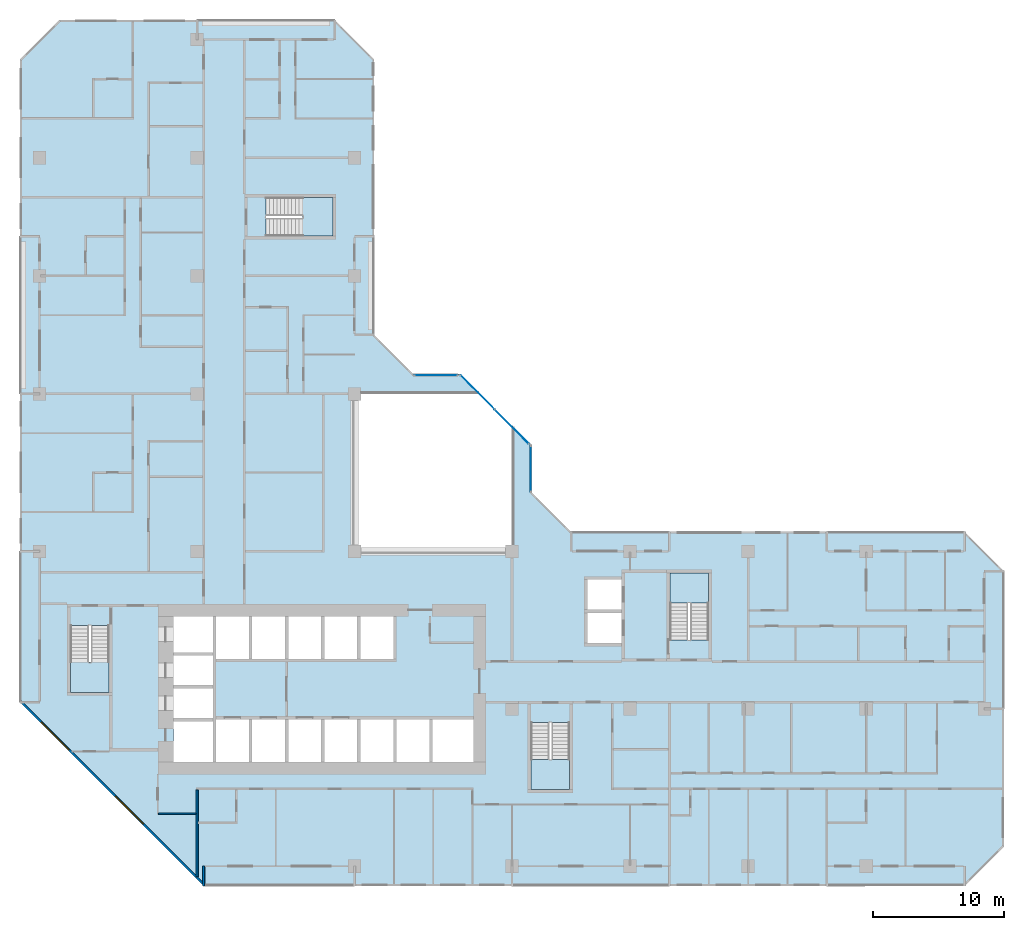
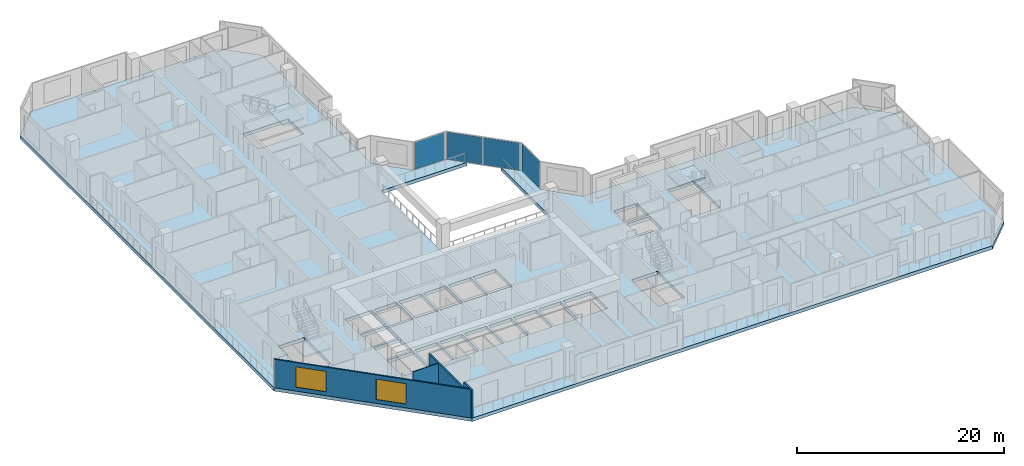
# One storey, part 3 of 15: 5 slabs, 4 plates, 4 walls, 2 windows, 2 openings, 7 elements without a shape of their own.
"""IFC4 building model written with IfcOpenShell, lengths in metres."""

from ifc_helpers import new_model, si_unit, direction, frame, frame_2d, origin, origin_2d, place, context, subcontext, project, spatial, polyline, rectangle, outline, extrude, material, layer, layer_set, type_object, element, fill, aggregate, save


model = new_model("IFC4")

# Units and contexts
model_context = context("Model", 3, precision=1e-05, world=origin(), true_north=direction((0.0, 1.0)))
body_context = subcontext(model_context, "Body", "Model", "MODEL_VIEW")
ifc_project = project(units=[si_unit("LENGTHUNIT", "METRE"), si_unit("AREAUNIT", "SQUARE_METRE"), si_unit("VOLUMEUNIT", "CUBIC_METRE"), si_unit("PLANEANGLEUNIT", "RADIAN"), si_unit("MASSUNIT", "GRAM", prefix="KILO")], contexts=[model_context])

# Site, building, storey
site_placement = place(None, origin())
site = spatial("IfcSite", under=ifc_project, at=site_placement, CompositionType="ELEMENT")
building_placement = place(site_placement, origin())
building = spatial("IfcBuilding", under=site, at=building_placement, Name="Chenar Terraces", CompositionType="ELEMENT")
storey_placement = place(building_placement, frame((0.0, 0.0, 133.14990234375)))
storey = spatial("IfcBuildingStorey", under=building, at=storey_placement, Name="L31", CompositionType="ELEMENT", Elevation=133.14990234375)

# Curtain wall, plate
ifc_material_1 = material(Name="Aluminium framed glazing", Category="aluminium")
ifc_layer_1 = layer(ifc_material_1, 0.14990234375)
ifc_layer_set_1 = layer_set([ifc_layer_1], Name="Aluminium framed glazing")
curtain_wall_type = type_object("IfcCurtainWallType", Name="Atrium curtain wall", PredefinedType="NOTDEFINED", material=ifc_layer_set_1)
placement_1 = place(storey_placement, origin())
curtain_wall_1 = element("IfcCurtainWall", 1, at=placement_1, inside=storey, type_object=curtain_wall_type, Name="Atrium curtain wall", PredefinedType="NOTDEFINED")
ifc_material_2 = material(Name="Low emissivity laminated glass, solar control coating", Category="glass")
ifc_layer_2 = layer(ifc_material_2, 0.028076171875)
ifc_layer_set_2 = layer_set([ifc_layer_2], Name="Low emissivity laminated glass, solar control coating")
plate_type = type_object("IfcPlateType", Name="Atrium glazing panel 28", PredefinedType="CURTAIN_PANEL", material=ifc_layer_set_2)
plate_1_placement = place(storey_placement, frame((37.425048828125, 30.300048828125, 0.06005859375), z_axis=(0.0, 0.0, 1.0), x_axis=(0.0, 1.0, 0.0)))
plate_1 = element("IfcPlate", 2, at=plate_1_placement, type_object=plate_type, Name="CW1-1 panel 1.1", PredefinedType="CURTAIN_PANEL", context=body_context, shape_type="SweptSolid", body=[
    extrude(rectangle(XDim=3.47998046875, YDim=0.028076171875, at=origin_2d()), origin(), (0.0, 0.0, 1.0), 3.22998046875),
])
aggregate(curtain_wall_1, [plate_1])

# Curtain wall, plates
curtain_wall_2 = element("IfcCurtainWall", 3, at=placement_1, inside=storey, type_object=curtain_wall_type, Name="Atrium curtain wall", PredefinedType="NOTDEFINED")
plate_2_placement = place(storey_placement, frame((35.980224609375, 33.513671875, 0.06005859375), z_axis=(0.0, 0.0, 1.0), x_axis=(-0.707106781187, 0.707106781187, 0.0)))
plate_2 = element("IfcPlate", 4, at=plate_2_placement, type_object=plate_type, Name="CW1-2 panel 1.1", PredefinedType="CURTAIN_PANEL", context=body_context, shape_type="SweptSolid", body=[
    extrude(rectangle(XDim=3.62841796875, YDim=0.028076171875, at=origin_2d()), origin(), (0.0, 0.0, 1.0), 3.22998046875),
])
plate_3_placement = place(storey_placement, frame((33.3720703125, 36.121826171875, 0.06005859375), z_axis=(0.0, 0.0, 1.0), x_axis=(-0.707106781187, 0.707106781187, 0.0)))
plate_3 = element("IfcPlate", 5, at=plate_3_placement, type_object=plate_type, Name="CW1-2 panel 2.1", PredefinedType="CURTAIN_PANEL", context=body_context, shape_type="SweptSolid", body=[
    extrude(rectangle(XDim=3.62841796875, YDim=0.028076171875, at=origin_2d()), origin(), (0.0, 0.0, 1.0), 3.22998046875),
])
aggregate(curtain_wall_2, [plate_2, plate_3])

# Curtain wall, plate
curtain_wall_3 = element("IfcCurtainWall", 6, at=placement_1, inside=storey, type_object=curtain_wall_type, Name="Atrium curtain wall", PredefinedType="NOTDEFINED")
plate_4_placement = place(storey_placement, frame((30.199951171875, 37.425048828125, 0.06005859375), z_axis=(0.0, 0.0, 1.0), x_axis=(-1.0, 0.0, 0.0)))
plate_4 = element("IfcPlate", 7, at=plate_4_placement, type_object=plate_type, Name="CW1-3 panel 1.1", PredefinedType="CURTAIN_PANEL", context=body_context, shape_type="SweptSolid", body=[
    extrude(rectangle(XDim=3.280029296875, YDim=0.028076171875, at=origin_2d()), origin(), (0.0, 0.0, 1.0), 3.22998046875),
])
aggregate(curtain_wall_3, [plate_4])

# Stair, slab
ifc_material_3 = material(Name="Reinforced concrete C40/50", Category="concrete")
stair_type = type_object("IfcStairType", Name="Core stair 1400 half-turn", PredefinedType="HALF_TURN_STAIR", material=ifc_material_3)
stair_1 = element("IfcStair", 8, at=placement_1, inside=storey, type_object=stair_type, Name="L31 Stair 1", PredefinedType="HALF_TURN_STAIR")
ifc_material_4 = material(Name="Reinforced concrete C40/50", Category="concrete")
ifc_layer_3 = layer(ifc_material_4, 0.199951171875)
ifc_layer_set_3 = layer_set([ifc_layer_3], Name="Reinforced concrete C40/50")
slab_type_1 = type_object("IfcSlabType", Name="Core stair landing 200", PredefinedType="LANDING", material=ifc_layer_set_3)
placement_2 = place(storey_placement, frame((0.0, 0.0, 1.675048828125)))
slab_1 = element("IfcSlab", 9, at=placement_2, type_object=slab_type_1, Name="ST1 landing 1", PredefinedType="LANDING", context=body_context, shape_type="SweptSolid", body=[
    extrude(outline(polyline([(2.35009765625, 15.550048828125), (2.35009765625, 13.25), (5.300048828125, 13.25), (5.300048828125, 15.550048828125), (2.35009765625, 15.550048828125)])), origin(), (0.0, 0.0, 1.0), 0.199951171875),
])
aggregate(stair_1, [slab_1])

stair_2 = element("IfcStair", 10, at=placement_1, inside=storey, type_object=stair_type, Name="L31 Stair 2", PredefinedType="HALF_TURN_STAIR")
slab_2 = element("IfcSlab", 11, at=placement_2, type_object=slab_type_1, Name="ST2 landing 1", PredefinedType="LANDING", context=body_context, shape_type="SweptSolid", body=[
    extrude(outline(polyline([(37.449951171875, 8.14990234375), (37.449951171875, 5.85009765625), (40.39990234375, 5.85009765625), (40.39990234375, 8.14990234375), (37.449951171875, 8.14990234375)])), origin(), (0.0, 0.0, 1.0), 0.199951171875),
])
aggregate(stair_2, [slab_2])

stair_3 = element("IfcStair", 12, at=placement_1, inside=storey, type_object=stair_type, Name="L31 Stair 3", PredefinedType="HALF_TURN_STAIR")
slab_3 = element("IfcSlab", 13, at=placement_2, type_object=slab_type_1, Name="ST3 landing 1", PredefinedType="LANDING", context=body_context, shape_type="SweptSolid", body=[
    extrude(outline(polyline([(50.97509765625, 20.050048828125), (50.97509765625, 22.35009765625), (48.02490234375, 22.35009765625), (48.02490234375, 20.050048828125), (50.97509765625, 20.050048828125)])), origin(), (0.0, 0.0, 1.0), 0.199951171875),
])
aggregate(stair_3, [slab_3])

stair_4 = element("IfcStair", 14, at=placement_1, inside=storey, type_object=stair_type, Name="L31 Stair 4", PredefinedType="HALF_TURN_STAIR")
slab_4 = element("IfcSlab", 15, at=placement_2, type_object=slab_type_1, Name="ST4 landing 1", PredefinedType="LANDING", context=body_context, shape_type="SweptSolid", body=[
    extrude(outline(polyline([(20.050048828125, 48.02490234375), (22.35009765625, 48.02490234375), (22.35009765625, 50.97509765625), (20.050048828125, 50.97509765625), (20.050048828125, 48.02490234375)])), origin(), (0.0, 0.0, 1.0), 0.199951171875),
])
aggregate(stair_4, [slab_4])

# Slab
ifc_material_5 = material(Name="Concrete C40/50", Category="concrete")
ifc_layer_4 = layer(ifc_material_5, 0.39990234375)
ifc_layer_set_4 = layer_set([ifc_layer_4], Name="Concrete C40/50")
slab_type_2 = type_object("IfcSlabType", Name="Floor slab 400 Concrete C40/50", PredefinedType="FLOOR", material=ifc_layer_set_4)
slab_5_placement = place(storey_placement, frame((0.0, 0.0, -0.39990234375)))
element("IfcSlab", 16, at=slab_5_placement, inside=storey, type_object=slab_type_2, Name="Floor slab L31", PredefinedType="FLOOR", context=body_context, shape_type="SweptSolid", body=[
    extrude(outline(polyline([(73.5, 22.5), (73.5, 1.5), (70.5, -1.5), (12.5, -1.5), (-1.5, 12.5), (-1.5, 61.5), (1.5, 64.5), (22.5, 64.5), (25.5, 61.5), (25.5, 40.5), (28.5, 37.5), (32.10009765625, 37.5), (33.60009765625, 36.0), (24.0, 36.0), (24.0, 24.0), (36.0, 24.0), (36.0, 33.60009765625), (37.5, 32.10009765625), (37.5, 28.5), (40.5, 25.5), (70.5, 25.5), (73.5, 22.5)]), holes=[polyline([(13.199951171875, 11.050048828125), (10.199951171875, 11.050048828125), (10.199951171875, 7.949951171875), (13.199951171875, 7.949951171875), (13.199951171875, 11.050048828125)]), polyline([(15.949951171875, 11.199951171875), (13.449951171875, 11.199951171875), (13.449951171875, 7.949951171875), (15.949951171875, 7.949951171875), (15.949951171875, 11.199951171875)]), polyline([(18.699951171875, 11.199951171875), (16.199951171875, 11.199951171875), (16.199951171875, 7.949951171875), (18.699951171875, 7.949951171875), (18.699951171875, 11.199951171875)]), polyline([(21.449951171875, 7.949951171875), (21.449951171875, 11.199951171875), (18.949951171875, 11.199951171875), (18.949951171875, 7.949951171875), (21.449951171875, 7.949951171875)]), polyline([(13.199951171875, 11.300048828125), (13.199951171875, 13.550048828125), (10.199951171875, 13.550048828125), (10.199951171875, 11.300048828125), (13.199951171875, 11.300048828125)]), polyline([(13.199951171875, 16.050048828125), (10.199951171875, 16.050048828125), (10.199951171875, 13.800048828125), (13.199951171875, 13.800048828125), (13.199951171875, 16.050048828125)]), polyline([(2.35009765625, 18.35009765625), (2.35009765625, 13.25), (5.300048828125, 13.25), (5.300048828125, 18.35009765625), (2.35009765625, 18.35009765625)]), polyline([(15.949951171875, 15.800048828125), (15.949951171875, 19.050048828125), (13.449951171875, 19.050048828125), (13.449951171875, 15.800048828125), (15.949951171875, 15.800048828125)]), polyline([(18.699951171875, 19.050048828125), (16.199951171875, 19.050048828125), (16.199951171875, 15.800048828125), (18.699951171875, 15.800048828125), (18.699951171875, 19.050048828125)]), polyline([(21.449951171875, 15.800048828125), (21.449951171875, 19.050048828125), (18.949951171875, 19.050048828125), (18.949951171875, 15.800048828125), (21.449951171875, 15.800048828125)]), polyline([(13.199951171875, 16.300048828125), (13.199951171875, 19.050048828125), (10.199951171875, 19.050048828125), (10.199951171875, 16.300048828125), (13.199951171875, 16.300048828125)]), polyline([(22.35009765625, 48.02490234375), (22.35009765625, 50.97509765625), (17.25, 50.97509765625), (17.25, 48.02490234375), (22.35009765625, 48.02490234375)]), polyline([(37.449951171875, 10.949951171875), (37.449951171875, 5.85009765625), (40.39990234375, 5.85009765625), (40.39990234375, 10.949951171875), (37.449951171875, 10.949951171875)]), polyline([(24.199951171875, 7.949951171875), (24.199951171875, 11.199951171875), (21.699951171875, 11.199951171875), (21.699951171875, 7.949951171875), (24.199951171875, 7.949951171875)]), polyline([(26.949951171875, 11.199951171875), (24.449951171875, 11.199951171875), (24.449951171875, 7.949951171875), (26.949951171875, 7.949951171875), (26.949951171875, 11.199951171875)]), polyline([(29.699951171875, 7.949951171875), (29.699951171875, 11.199951171875), (27.199951171875, 11.199951171875), (27.199951171875, 7.949951171875), (29.699951171875, 7.949951171875)]), polyline([(33.050048828125, 7.949951171875), (33.050048828125, 11.199951171875), (29.949951171875, 11.199951171875), (29.949951171875, 7.949951171875), (33.050048828125, 7.949951171875)]), polyline([(24.199951171875, 19.050048828125), (21.699951171875, 19.050048828125), (21.699951171875, 15.800048828125), (24.199951171875, 15.800048828125), (24.199951171875, 19.050048828125)]), polyline([(26.949951171875, 15.800048828125), (26.949951171875, 19.050048828125), (24.449951171875, 19.050048828125), (24.449951171875, 15.800048828125), (26.949951171875, 15.800048828125)]), polyline([(44.35009765625, 17.0), (44.35009765625, 19.300048828125), (41.75, 19.300048828125), (41.75, 17.0), (44.35009765625, 17.0)]), polyline([(50.97509765625, 22.35009765625), (48.02490234375, 22.35009765625), (48.02490234375, 17.25), (50.97509765625, 17.25), (50.97509765625, 22.35009765625)]), polyline([(44.35009765625, 19.550048828125), (44.35009765625, 21.85009765625), (41.75, 21.85009765625), (41.75, 19.550048828125), (44.35009765625, 19.550048828125)])]), origin(), (0.0, 0.0, 1.0), 0.39990234375),
])

# Walls
ifc_material_6 = material(Name="Gypsum board on steel studs", Category="steel")
ifc_layer_5 = layer(ifc_material_6, 0.10009765625)
ifc_layer_set_5 = layer_set([ifc_layer_5], Name="Gypsum board on steel studs")
wall_type_1 = type_object("IfcWallType", Name="Gypsum partition 100", PredefinedType="PARTITIONING", material=ifc_layer_set_5)
wall_1_placement = place(storey_placement, frame((9.050048828125, 4.0, 0.0), z_axis=(0.0, 0.0, 1.0), x_axis=(1.0, 0.0, 0.0)))
element("IfcWall", 17, at=wall_1_placement, inside=storey, type_object=wall_type_1, Name="Partition L31-031", PredefinedType="PARTITIONING", context=body_context, shape_type="SweptSolid", body=[
    extrude(rectangle(XDim=2.875, YDim=0.10009765625, at=frame_2d((1.4375, 0.0))), origin(), (0.0, 0.0, 1.0), 3.35009765625),
])
ifc_material_7 = material(Name="Terracotta cladding on insulated backing", Category="masonry")
ifc_layer_6 = layer(ifc_material_7, 0.14990234375)
ifc_layer_set_6 = layer_set([ifc_layer_6], Name="Terracotta cladding on insulated backing")
wall_type_2 = type_object("IfcWallType", Name="Loggia return wall 150", PredefinedType="SOLIDWALL", material=ifc_layer_set_6)
wall_2_placement = place(storey_placement, frame((12.5, -1.5, 0.0), z_axis=(0.0, 0.0, 1.0), x_axis=(0.0, 1.0, 0.0)))
element("IfcWall", 18, at=wall_2_placement, inside=storey, type_object=wall_type_2, Name="Loggia return wall", PredefinedType="SOLIDWALL", context=body_context, shape_type="SweptSolid", body=[
    extrude(rectangle(XDim=1.5, YDim=0.14990234375, at=frame_2d((0.75, 0.0))), origin(), (0.0, 0.0, 1.0), 3.35009765625),
])

# Wall, openings, windows
ifc_material_8 = material(Name="Terracotta cladding on insulated backing", Category="masonry")
ifc_layer_7 = layer(ifc_material_8, 0.14990234375)
ifc_layer_set_7 = layer_set([ifc_layer_7], Name="Terracotta cladding on insulated backing")
wall_type_3 = type_object("IfcWallType", Name="Terracotta rainscreen wall 150", PredefinedType="SOLIDWALL", material=ifc_layer_set_7)
wall_3_placement = place(storey_placement, frame((-1.447021484375, 12.552978515625, 0.0), z_axis=(0.0, 0.0, 1.0), x_axis=(0.707106781187, -0.707106781187, 0.0)))
wall_3 = element("IfcWall", 19, at=wall_3_placement, inside=storey, type_object=wall_type_3, Name="Terracotta rainscreen wall", PredefinedType="SOLIDWALL", context=body_context, shape_type="SweptSolid", body=[
    extrude(rectangle(XDim=19.799072265625, YDim=0.14990234375, at=frame_2d((9.8994140625, 0.0))), origin(), (0.0, 0.0, 1.0), 3.35009765625),
])
opening_1_placement = place(wall_3_placement, frame((2.21240234375, 0.0, 0.449951171875)))
opening_1 = element("IfcOpeningElement", 20, at=opening_1_placement, cuts=wall_3, Name="Opening W300x240", PredefinedType="OPENING", context=body_context, shape_type="SweptSolid", body=[
    extrude(rectangle(XDim=3.0, YDim=2.39990234375, at=frame_2d((1.5, 1.199951171875))), frame((0.0, 0.0849609375, 0.0), z_axis=(0.0, -1.0, 0.0), x_axis=(1.0, 0.0, 0.0)), (0.0, 0.0, 1.0), 0.169921875),
])
opening_2_placement = place(wall_3_placement, frame((10.215576171875, 0.0, 0.449951171875)))
opening_2 = element("IfcOpeningElement", 21, at=opening_2_placement, cuts=wall_3, Name="Opening W300x240", PredefinedType="OPENING", context=body_context, shape_type="SweptSolid", body=[
    extrude(rectangle(XDim=3.0, YDim=2.39990234375, at=frame_2d((1.5, 1.199951171875))), frame((0.0, 0.0849609375, 0.0), z_axis=(0.0, -1.0, 0.0), x_axis=(1.0, 0.0, 0.0)), (0.0, 0.0, 1.0), 0.169921875),
])
ifc_material_9 = material(Name="Low emissivity double glazing, aluminium frame", Category="aluminium")
window_type = type_object("IfcWindowType", Name="Fixed light 3000 x 2400", PartitioningType="SINGLE_PANEL", PredefinedType="WINDOW", material=ifc_material_9)
window_1_placement = place(opening_1_placement, origin())
window_1 = element("IfcWindow", 22, at=window_1_placement, inside=storey, type_object=window_type, Name="Window", OverallHeight=2.39990234375, OverallWidth=3.0, PartitioningType="SINGLE_PANEL", PredefinedType="WINDOW", context=body_context, shape_type="SweptSolid", body=[
    extrude(rectangle(XDim=3.0, YDim=2.39990234375, at=frame_2d((1.5, 1.199951171875))), frame((0.0, 0.030029296875, 0.0), z_axis=(0.0, -1.0, 0.0), x_axis=(1.0, 0.0, 0.0)), (0.0, 0.0, 1.0), 0.06005859375),
])
fill(opening_1, window_1)
window_2_placement = place(opening_2_placement, origin())
window_2 = element("IfcWindow", 23, at=window_2_placement, inside=storey, type_object=window_type, Name="Window", OverallHeight=2.39990234375, OverallWidth=3.0, PartitioningType="SINGLE_PANEL", PredefinedType="WINDOW", context=body_context, shape_type="SweptSolid", body=[
    extrude(rectangle(XDim=3.0, YDim=2.39990234375, at=frame_2d((1.5, 1.199951171875))), frame((0.0, 0.030029296875, 0.0), z_axis=(0.0, -1.0, 0.0), x_axis=(1.0, 0.0, 0.0)), (0.0, 0.0, 1.0), 0.06005859375),
])
fill(opening_2, window_2)

# Wall
ifc_material_10 = material(Name="Moisture-resistant gypsum board on steel studs", Category="steel")
ifc_layer_8 = layer(ifc_material_10, 0.14990234375)
ifc_layer_set_8 = layer_set([ifc_layer_8], Name="Moisture-resistant gypsum board on steel studs")
wall_type_4 = type_object("IfcWallType", Name="Wet-room partition 150", PredefinedType="PARTITIONING", material=ifc_layer_set_8)
wall_4_placement = place(storey_placement, frame((12.0, -0.787841796875, 0.0), z_axis=(0.0, 0.0, 1.0), x_axis=(0.0, 1.0, 0.0)))
element("IfcWall", 24, at=wall_4_placement, inside=storey, type_object=wall_type_4, Name="Partition L31-033", PredefinedType="PARTITIONING", context=body_context, shape_type="SweptSolid", body=[
    extrude(rectangle(XDim=6.61279296875, YDim=0.14990234375, at=frame_2d((3.306396484375, 0.0))), origin(), (0.0, 0.0, 1.0), 3.35009765625),
])

save(model, "model.ifc")
